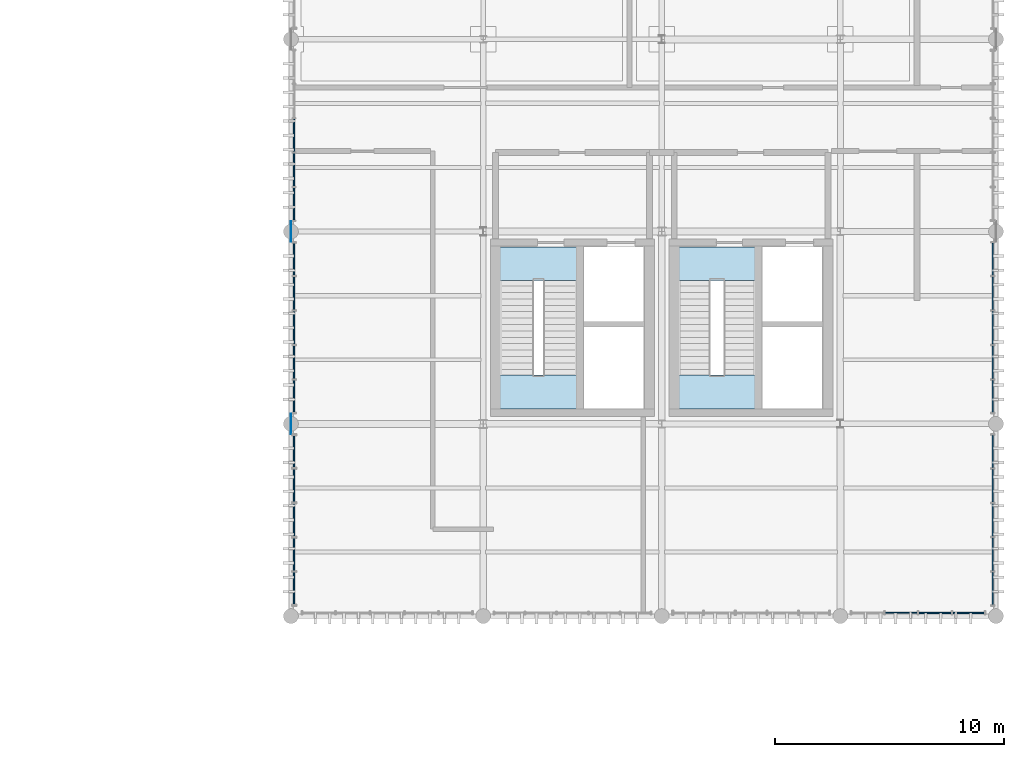
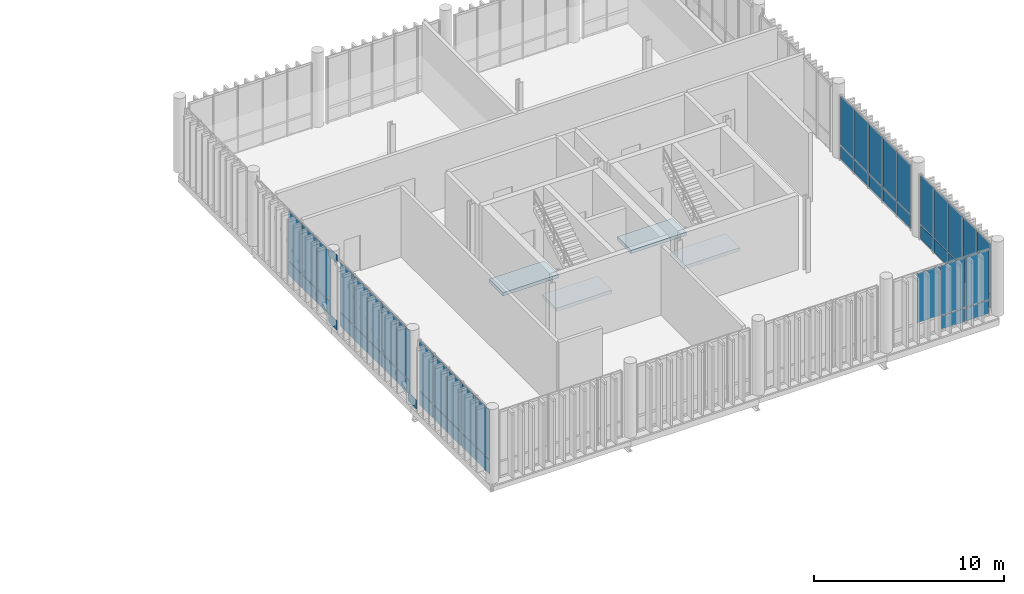
# One storey, part 68 of 86: 54 plates, 4 slabs, 8 elements without a shape of their own.
"""IFC4 building model written with IfcOpenShell, lengths in metres."""

from ifc_helpers import new_model, si_unit, direction, frame, frame_2d, origin_with_axes, origin_2d_with_axis, place, context, subcontext, project, spatial, polyline, rectangle, outline, extrude, material, layer, layer_set, type_object, element, aggregate, save


model = new_model("IFC4")

# Units and contexts
model_context = context("Model", 3, precision=1e-05, world=origin_with_axes(), true_north=direction((0.0, 1.0)))
body_context = subcontext(model_context, "Body", "Model", "MODEL_VIEW")
ifc_project = project(units=[si_unit("LENGTHUNIT", "METRE"), si_unit("AREAUNIT", "SQUARE_METRE"), si_unit("VOLUMEUNIT", "CUBIC_METRE"), si_unit("PLANEANGLEUNIT", "RADIAN"), si_unit("MASSUNIT", "GRAM", prefix="KILO"), si_unit("THERMODYNAMICTEMPERATUREUNIT", "KELVIN")], contexts=[model_context])

# Site, building, storey
site_placement = place(None, origin_with_axes())
site = spatial("IfcSite", under=ifc_project, at=site_placement, CompositionType="ELEMENT")
building_placement = place(site_placement, origin_with_axes())
building = spatial("IfcBuilding", under=site, at=building_placement, Name="Montbau Bow Law Courts", CompositionType="ELEMENT")
storey_placement = place(building_placement, frame((0.0, 0.0, 29.7), z_axis=(0.0, 0.0, 1.0), x_axis=(1.0, 0.0, 0.0)))
storey = spatial("IfcBuildingStorey", under=building, at=storey_placement, Name="L06", CompositionType="ELEMENT", Elevation=29.7)

# Curtain wall, plates
ifc_material_1 = material(Name="Thermally Broken Extruded Aluminium AA 6063-T6", Category="aluminium")
curtain_wall_type = type_object("IfcCurtainWallType", Name="CW-SLT-02", PredefinedType="NOTDEFINED", material=ifc_material_1)
curtain_wall_1_placement = place(None, frame((163.04, 78.14, 29.7), z_axis=(0.0, 0.0, 1.0), x_axis=(1.0, 0.0, 0.0)))
curtain_wall_1 = element("IfcCurtainWall", 1, at=curtain_wall_1_placement, inside=storey, type_object=curtain_wall_type, Name="CW-L06-352:cw_0352", PredefinedType="NOTDEFINED")
ifc_material_2 = material(Name="Triple-Glazed Low-E Argon Insulating Glass Unit", Category="glass")
ifc_layer_1 = layer(ifc_material_2, 0.044, Name="Curtain Panel", Category="glass")
ifc_layer_set_1 = layer_set([ifc_layer_1], Name="Triple-Glazed Low-E Argon Insulating Glass Unit")
plate_type_1 = type_object("IfcPlateType", Name="PL-CWP-01", PredefinedType="CURTAIN_PANEL", material=ifc_layer_set_1)
plate_1_placement = place(None, frame((164.554, 78.14, 30.682), z_axis=(0.0, -1.0, 0.0), x_axis=(1.0, 0.0, 0.0)))
plate_1 = element("IfcPlate", 2, at=plate_1_placement, type_object=plate_type_1, Name="CW-L06-352-P02-2:cw_0352_P02_2", PredefinedType="CURTAIN_PANEL", context=body_context, shape_type="SweptSolid", body=[
    extrude(rectangle(XDim=1.411, YDim=3.176, at=frame_2d((0.7055, 1.588), x_axis=(1.0, 0.0))), frame((0.0, 0.0, -0.022), z_axis=(0.0, 0.0, 1.0), x_axis=(1.0, 0.0, 0.0)), (0.0, 0.0, 1.0), 0.044),
])
plate_2_placement = place(None, frame((166.034, 78.14, 30.682), z_axis=(0.0, -1.0, 0.0), x_axis=(1.0, 0.0, 0.0)))
plate_2 = element("IfcPlate", 3, at=plate_2_placement, type_object=plate_type_1, Name="CW-L06-352-P03-2:cw_0352_P03_2", PredefinedType="CURTAIN_PANEL", context=body_context, shape_type="SweptSolid", body=[
    extrude(rectangle(XDim=1.412, YDim=3.176, at=frame_2d((0.706, 1.588), x_axis=(1.0, 0.0))), frame((0.0, 0.0, -0.022), z_axis=(0.0, 0.0, 1.0), x_axis=(1.0, 0.0, 0.0)), (0.0, 0.0, 1.0), 0.044),
])
plate_3_placement = place(None, frame((167.514, 78.14, 30.682), z_axis=(0.0, -1.0, 0.0), x_axis=(1.0, 0.0, 0.0)))
plate_3 = element("IfcPlate", 4, at=plate_3_placement, type_object=plate_type_1, Name="CW-L06-352-P04-2:cw_0352_P04_2", PredefinedType="CURTAIN_PANEL", context=body_context, shape_type="SweptSolid", body=[
    extrude(rectangle(XDim=1.38, YDim=3.176, at=frame_2d((0.69, 1.588), x_axis=(1.0, 0.0))), frame((0.0, 0.0, -0.022), z_axis=(0.0, 0.0, 1.0), x_axis=(1.0, 0.0, 0.0)), (0.0, 0.0, 1.0), 0.044),
])

curtain_wall_2_placement = place(None, frame((138.74, 78.44, 29.7), z_axis=(0.0, 0.0, 1.0), x_axis=(1.0, 0.0, 0.0)))
curtain_wall_2 = element("IfcCurtainWall", 5, at=curtain_wall_2_placement, inside=storey, type_object=curtain_wall_type, Name="CW-L06-357:cw_0357", PredefinedType="NOTDEFINED")
plate_4_placement = place(None, frame((138.74, 78.516, 30.679), z_axis=(1.0, 0.0, 0.0), x_axis=(0.0, 1.0, 0.0)))
plate_4 = element("IfcPlate", 6, at=plate_4_placement, type_object=plate_type_1, Name="CW-L06-357-P01-2:cw_0357_P01_2", PredefinedType="CURTAIN_PANEL", context=body_context, shape_type="SweptSolid", body=[
    extrude(rectangle(XDim=1.388, YDim=3.183, at=frame_2d((0.694, 1.5915), x_axis=(1.0, 0.0))), frame((0.0, 0.0, -0.022), z_axis=(0.0, 0.0, 1.0), x_axis=(1.0, 0.0, 0.0)), (0.0, 0.0, 1.0), 0.044),
])
plate_5_placement = place(None, frame((138.74, 79.984, 30.679), z_axis=(1.0, 0.0, 0.0), x_axis=(0.0, 1.0, 0.0)))
plate_5 = element("IfcPlate", 7, at=plate_5_placement, type_object=plate_type_1, Name="CW-L06-357-P02-2:cw_0357_P02_2", PredefinedType="CURTAIN_PANEL", context=body_context, shape_type="SweptSolid", body=[
    extrude(rectangle(XDim=1.425, YDim=3.183, at=frame_2d((0.7125, 1.5915), x_axis=(1.0, 0.0))), frame((0.0, 0.0, -0.022), z_axis=(0.0, 0.0, 1.0), x_axis=(1.0, 0.0, 0.0)), (0.0, 0.0, 1.0), 0.044),
])
plate_6_placement = place(None, frame((138.74, 81.487, 30.679), z_axis=(1.0, 0.0, 0.0), x_axis=(0.0, 1.0, 0.0)))
plate_6 = element("IfcPlate", 8, at=plate_6_placement, type_object=plate_type_1, Name="CW-L06-357-P03-2:cw_0357_P03_2", PredefinedType="CURTAIN_PANEL", context=body_context, shape_type="SweptSolid", body=[
    extrude(rectangle(XDim=1.426, YDim=3.183, at=frame_2d((0.713, 1.5915), x_axis=(1.0, 0.0))), frame((0.0, 0.0, -0.022), z_axis=(0.0, 0.0, 1.0), x_axis=(1.0, 0.0, 0.0)), (0.0, 0.0, 1.0), 0.044),
])
plate_7_placement = place(None, frame((138.74, 82.991, 30.679), z_axis=(1.0, 0.0, 0.0), x_axis=(0.0, 1.0, 0.0)))
plate_7 = element("IfcPlate", 9, at=plate_7_placement, type_object=plate_type_1, Name="CW-L06-357-P04-2:cw_0357_P04_2", PredefinedType="CURTAIN_PANEL", context=body_context, shape_type="SweptSolid", body=[
    extrude(rectangle(XDim=1.426, YDim=3.183, at=frame_2d((0.713, 1.5915), x_axis=(1.0, 0.0))), frame((0.0, 0.0, -0.022), z_axis=(0.0, 0.0, 1.0), x_axis=(1.0, 0.0, 0.0)), (0.0, 0.0, 1.0), 0.044),
])
plate_8_placement = place(None, frame((138.74, 84.495, 30.679), z_axis=(1.0, 0.0, 0.0), x_axis=(0.0, 1.0, 0.0)))
plate_8 = element("IfcPlate", 10, at=plate_8_placement, type_object=plate_type_1, Name="CW-L06-357-P05-2:cw_0357_P05_2", PredefinedType="CURTAIN_PANEL", context=body_context, shape_type="SweptSolid", body=[
    extrude(rectangle(XDim=1.388, YDim=3.183, at=frame_2d((0.694, 1.5915), x_axis=(1.0, 0.0))), frame((0.0, 0.0, -0.022), z_axis=(0.0, 0.0, 1.0), x_axis=(1.0, 0.0, 0.0)), (0.0, 0.0, 1.0), 0.044),
])

curtain_wall_3_placement = place(None, frame((138.74, 86.84, 29.7), z_axis=(0.0, 0.0, 1.0), x_axis=(1.0, 0.0, 0.0)))
curtain_wall_3 = element("IfcCurtainWall", 11, at=curtain_wall_3_placement, inside=storey, type_object=curtain_wall_type, Name="CW-L06-358:cw_0358", PredefinedType="NOTDEFINED")
plate_9_placement = place(None, frame((138.74, 86.908, 30.682), z_axis=(1.0, 0.0, 0.0), x_axis=(0.0, 1.0, 0.0)))
plate_9 = element("IfcPlate", 12, at=plate_9_placement, type_object=plate_type_1, Name="CW-L06-358-P01-2:cw_0358_P01_2", PredefinedType="CURTAIN_PANEL", context=body_context, shape_type="SweptSolid", body=[
    extrude(rectangle(XDim=1.402, YDim=3.176, at=frame_2d((0.701, 1.588), x_axis=(1.0, 0.0))), frame((0.0, 0.0, -0.022), z_axis=(0.0, 0.0, 1.0), x_axis=(1.0, 0.0, 0.0)), (0.0, 0.0, 1.0), 0.044),
])
plate_10_placement = place(None, frame((138.74, 88.378, 30.682), z_axis=(1.0, 0.0, 0.0), x_axis=(0.0, 1.0, 0.0)))
plate_10 = element("IfcPlate", 13, at=plate_10_placement, type_object=plate_type_1, Name="CW-L06-358-P02-2:cw_0358_P02_2", PredefinedType="CURTAIN_PANEL", context=body_context, shape_type="SweptSolid", body=[
    extrude(rectangle(XDim=1.436, YDim=3.176, at=frame_2d((0.718, 1.588), x_axis=(1.0, 0.0))), frame((0.0, 0.0, -0.022), z_axis=(0.0, 0.0, 1.0), x_axis=(1.0, 0.0, 0.0)), (0.0, 0.0, 1.0), 0.044),
])
plate_11_placement = place(None, frame((138.74, 89.882, 30.682), z_axis=(1.0, 0.0, 0.0), x_axis=(0.0, 1.0, 0.0)))
plate_11 = element("IfcPlate", 14, at=plate_11_placement, type_object=plate_type_1, Name="CW-L06-358-P03-2:cw_0358_P03_2", PredefinedType="CURTAIN_PANEL", context=body_context, shape_type="SweptSolid", body=[
    extrude(rectangle(XDim=1.436, YDim=3.176, at=frame_2d((0.718, 1.588), x_axis=(1.0, 0.0))), frame((0.0, 0.0, -0.022), z_axis=(0.0, 0.0, 1.0), x_axis=(1.0, 0.0, 0.0)), (0.0, 0.0, 1.0), 0.044),
])
plate_12_placement = place(None, frame((138.74, 91.386, 30.682), z_axis=(1.0, 0.0, 0.0), x_axis=(0.0, 1.0, 0.0)))
plate_12 = element("IfcPlate", 15, at=plate_12_placement, type_object=plate_type_1, Name="CW-L06-358-P04-2:cw_0358_P04_2", PredefinedType="CURTAIN_PANEL", context=body_context, shape_type="SweptSolid", body=[
    extrude(rectangle(XDim=1.436, YDim=3.176, at=frame_2d((0.718, 1.588), x_axis=(1.0, 0.0))), frame((0.0, 0.0, -0.022), z_axis=(0.0, 0.0, 1.0), x_axis=(1.0, 0.0, 0.0)), (0.0, 0.0, 1.0), 0.044),
])
plate_13_placement = place(None, frame((138.74, 92.89, 30.682), z_axis=(1.0, 0.0, 0.0), x_axis=(0.0, 1.0, 0.0)))
plate_13 = element("IfcPlate", 16, at=plate_13_placement, type_object=plate_type_1, Name="CW-L06-358-P05-2:cw_0358_P05_2", PredefinedType="CURTAIN_PANEL", context=body_context, shape_type="SweptSolid", body=[
    extrude(rectangle(XDim=1.403, YDim=3.176, at=frame_2d((0.7015, 1.588), x_axis=(1.0, 0.0))), frame((0.0, 0.0, -0.022), z_axis=(0.0, 0.0, 1.0), x_axis=(1.0, 0.0, 0.0)), (0.0, 0.0, 1.0), 0.044),
])

curtain_wall_4_placement = place(None, frame((138.74, 95.24, 29.7), z_axis=(0.0, 0.0, 1.0), x_axis=(1.0, 0.0, 0.0)))
curtain_wall_4 = element("IfcCurtainWall", 17, at=curtain_wall_4_placement, inside=storey, type_object=curtain_wall_type, Name="CW-L06-359:cw_0359", PredefinedType="NOTDEFINED")
plate_14_placement = place(None, frame((138.74, 95.302, 30.679), z_axis=(1.0, 0.0, 0.0), x_axis=(0.0, 1.0, 0.0)))
plate_14 = element("IfcPlate", 18, at=plate_14_placement, type_object=plate_type_1, Name="CW-L06-359-P01-2:cw_0359_P01_2", PredefinedType="CURTAIN_PANEL", context=body_context, shape_type="SweptSolid", body=[
    extrude(rectangle(XDim=1.41, YDim=3.183, at=frame_2d((0.705, 1.5915), x_axis=(1.0, 0.0))), frame((0.0, 0.0, -0.022), z_axis=(0.0, 0.0, 1.0), x_axis=(1.0, 0.0, 0.0)), (0.0, 0.0, 1.0), 0.044),
])
plate_15_placement = place(None, frame((138.74, 96.776, 30.679), z_axis=(1.0, 0.0, 0.0), x_axis=(0.0, 1.0, 0.0)))
plate_15 = element("IfcPlate", 19, at=plate_15_placement, type_object=plate_type_1, Name="CW-L06-359-P02-2:cw_0359_P02_2", PredefinedType="CURTAIN_PANEL", context=body_context, shape_type="SweptSolid", body=[
    extrude(rectangle(XDim=1.44, YDim=3.183, at=frame_2d((0.72, 1.5915), x_axis=(1.0, 0.0))), frame((0.0, 0.0, -0.022), z_axis=(0.0, 0.0, 1.0), x_axis=(1.0, 0.0, 0.0)), (0.0, 0.0, 1.0), 0.044),
])
plate_16_placement = place(None, frame((138.74, 98.28, 30.679), z_axis=(1.0, 0.0, 0.0), x_axis=(0.0, 1.0, 0.0)))
plate_16 = element("IfcPlate", 20, at=plate_16_placement, type_object=plate_type_1, Name="CW-L06-359-P03-2:cw_0359_P03_2", PredefinedType="CURTAIN_PANEL", context=body_context, shape_type="SweptSolid", body=[
    extrude(rectangle(XDim=1.44, YDim=3.183, at=frame_2d((0.72, 1.5915), x_axis=(1.0, 0.0))), frame((0.0, 0.0, -0.022), z_axis=(0.0, 0.0, 1.0), x_axis=(1.0, 0.0, 0.0)), (0.0, 0.0, 1.0), 0.044),
])

curtain_wall_5_placement = place(None, frame((169.26, 78.44, 29.7), z_axis=(0.0, 0.0, 1.0), x_axis=(1.0, 0.0, 0.0)))
curtain_wall_5 = element("IfcCurtainWall", 21, at=curtain_wall_5_placement, inside=storey, type_object=curtain_wall_type, Name="CW-L06-361:cw_0361", PredefinedType="NOTDEFINED")
plate_17_placement = place(None, frame((169.26, 78.508, 30.679), z_axis=(1.0, 0.0, 0.0), x_axis=(0.0, 1.0, 0.0)))
plate_17 = element("IfcPlate", 22, at=plate_17_placement, type_object=plate_type_1, Name="CW-L06-361-P01-2:cw_0361_P01_2", PredefinedType="CURTAIN_PANEL", context=body_context, shape_type="SweptSolid", body=[
    extrude(rectangle(XDim=1.402, YDim=3.183, at=frame_2d((0.701, 1.5915), x_axis=(1.0, 0.0))), frame((0.0, 0.0, -0.022), z_axis=(0.0, 0.0, 1.0), x_axis=(1.0, 0.0, 0.0)), (0.0, 0.0, 1.0), 0.044),
])
plate_18_placement = place(None, frame((169.26, 79.978, 30.679), z_axis=(1.0, 0.0, 0.0), x_axis=(0.0, 1.0, 0.0)))
plate_18 = element("IfcPlate", 23, at=plate_18_placement, type_object=plate_type_1, Name="CW-L06-361-P02-2:cw_0361_P02_2", PredefinedType="CURTAIN_PANEL", context=body_context, shape_type="SweptSolid", body=[
    extrude(rectangle(XDim=1.436, YDim=3.183, at=frame_2d((0.718, 1.5915), x_axis=(1.0, 0.0))), frame((0.0, 0.0, -0.022), z_axis=(0.0, 0.0, 1.0), x_axis=(1.0, 0.0, 0.0)), (0.0, 0.0, 1.0), 0.044),
])
plate_19_placement = place(None, frame((169.26, 81.482, 30.679), z_axis=(1.0, 0.0, 0.0), x_axis=(0.0, 1.0, 0.0)))
plate_19 = element("IfcPlate", 24, at=plate_19_placement, type_object=plate_type_1, Name="CW-L06-361-P03-2:cw_0361_P03_2", PredefinedType="CURTAIN_PANEL", context=body_context, shape_type="SweptSolid", body=[
    extrude(rectangle(XDim=1.436, YDim=3.183, at=frame_2d((0.718, 1.5915), x_axis=(1.0, 0.0))), frame((0.0, 0.0, -0.022), z_axis=(0.0, 0.0, 1.0), x_axis=(1.0, 0.0, 0.0)), (0.0, 0.0, 1.0), 0.044),
])
plate_20_placement = place(None, frame((169.26, 82.986, 30.679), z_axis=(1.0, 0.0, 0.0), x_axis=(0.0, 1.0, 0.0)))
plate_20 = element("IfcPlate", 25, at=plate_20_placement, type_object=plate_type_1, Name="CW-L06-361-P04-2:cw_0361_P04_2", PredefinedType="CURTAIN_PANEL", context=body_context, shape_type="SweptSolid", body=[
    extrude(rectangle(XDim=1.436, YDim=3.183, at=frame_2d((0.718, 1.5915), x_axis=(1.0, 0.0))), frame((0.0, 0.0, -0.022), z_axis=(0.0, 0.0, 1.0), x_axis=(1.0, 0.0, 0.0)), (0.0, 0.0, 1.0), 0.044),
])
plate_21_placement = place(None, frame((169.26, 84.49, 30.679), z_axis=(1.0, 0.0, 0.0), x_axis=(0.0, 1.0, 0.0)))
plate_21 = element("IfcPlate", 26, at=plate_21_placement, type_object=plate_type_1, Name="CW-L06-361-P05-2:cw_0361_P05_2", PredefinedType="CURTAIN_PANEL", context=body_context, shape_type="SweptSolid", body=[
    extrude(rectangle(XDim=1.403, YDim=3.183, at=frame_2d((0.7015, 1.5915), x_axis=(1.0, 0.0))), frame((0.0, 0.0, -0.022), z_axis=(0.0, 0.0, 1.0), x_axis=(1.0, 0.0, 0.0)), (0.0, 0.0, 1.0), 0.044),
])

curtain_wall_6_placement = place(None, frame((169.26, 86.84, 29.7), z_axis=(0.0, 0.0, 1.0), x_axis=(1.0, 0.0, 0.0)))
curtain_wall_6 = element("IfcCurtainWall", 27, at=curtain_wall_6_placement, inside=storey, type_object=curtain_wall_type, Name="CW-L06-362:cw_0362", PredefinedType="NOTDEFINED")
plate_22_placement = place(None, frame((169.26, 86.902, 30.682), z_axis=(1.0, 0.0, 0.0), x_axis=(0.0, 1.0, 0.0)))
plate_22 = element("IfcPlate", 28, at=plate_22_placement, type_object=plate_type_1, Name="CW-L06-362-P01-2:cw_0362_P01_2", PredefinedType="CURTAIN_PANEL", context=body_context, shape_type="SweptSolid", body=[
    extrude(rectangle(XDim=1.41, YDim=3.176, at=frame_2d((0.705, 1.588), x_axis=(1.0, 0.0))), frame((0.0, 0.0, -0.022), z_axis=(0.0, 0.0, 1.0), x_axis=(1.0, 0.0, 0.0)), (0.0, 0.0, 1.0), 0.044),
])
plate_23_placement = place(None, frame((169.26, 88.376, 30.682), z_axis=(1.0, 0.0, 0.0), x_axis=(0.0, 1.0, 0.0)))
plate_23 = element("IfcPlate", 29, at=plate_23_placement, type_object=plate_type_1, Name="CW-L06-362-P02-2:cw_0362_P02_2", PredefinedType="CURTAIN_PANEL", context=body_context, shape_type="SweptSolid", body=[
    extrude(rectangle(XDim=1.44, YDim=3.176, at=frame_2d((0.72, 1.588), x_axis=(1.0, 0.0))), frame((0.0, 0.0, -0.022), z_axis=(0.0, 0.0, 1.0), x_axis=(1.0, 0.0, 0.0)), (0.0, 0.0, 1.0), 0.044),
])
plate_24_placement = place(None, frame((169.26, 89.88, 30.682), z_axis=(1.0, 0.0, 0.0), x_axis=(0.0, 1.0, 0.0)))
plate_24 = element("IfcPlate", 30, at=plate_24_placement, type_object=plate_type_1, Name="CW-L06-362-P03-2:cw_0362_P03_2", PredefinedType="CURTAIN_PANEL", context=body_context, shape_type="SweptSolid", body=[
    extrude(rectangle(XDim=1.44, YDim=3.176, at=frame_2d((0.72, 1.588), x_axis=(1.0, 0.0))), frame((0.0, 0.0, -0.022), z_axis=(0.0, 0.0, 1.0), x_axis=(1.0, 0.0, 0.0)), (0.0, 0.0, 1.0), 0.044),
])
plate_25_placement = place(None, frame((169.26, 91.384, 30.682), z_axis=(1.0, 0.0, 0.0), x_axis=(0.0, 1.0, 0.0)))
plate_25 = element("IfcPlate", 31, at=plate_25_placement, type_object=plate_type_1, Name="CW-L06-362-P04-2:cw_0362_P04_2", PredefinedType="CURTAIN_PANEL", context=body_context, shape_type="SweptSolid", body=[
    extrude(rectangle(XDim=1.44, YDim=3.176, at=frame_2d((0.72, 1.588), x_axis=(1.0, 0.0))), frame((0.0, 0.0, -0.022), z_axis=(0.0, 0.0, 1.0), x_axis=(1.0, 0.0, 0.0)), (0.0, 0.0, 1.0), 0.044),
])
plate_26_placement = place(None, frame((169.26, 92.888, 30.682), z_axis=(1.0, 0.0, 0.0), x_axis=(0.0, 1.0, 0.0)))
plate_26 = element("IfcPlate", 32, at=plate_26_placement, type_object=plate_type_1, Name="CW-L06-362-P05-2:cw_0362_P05_2", PredefinedType="CURTAIN_PANEL", context=body_context, shape_type="SweptSolid", body=[
    extrude(rectangle(XDim=1.41, YDim=3.176, at=frame_2d((0.705, 1.588), x_axis=(1.0, 0.0))), frame((0.0, 0.0, -0.022), z_axis=(0.0, 0.0, 1.0), x_axis=(1.0, 0.0, 0.0)), (0.0, 0.0, 1.0), 0.044),
])

# Plate
ifc_material_3 = material(Name="Insulated Ceramic-Frit Spandrel Glazing Unit", Category="glass")
ifc_layer_2 = layer(ifc_material_3, 0.056, Name="Curtain Panel", Category="glass")
ifc_layer_set_2 = layer_set([ifc_layer_2], Name="Insulated Ceramic-Frit Spandrel Glazing Unit")
plate_type_2 = type_object("IfcPlateType", Name="PL-CWP-02", PredefinedType="CURTAIN_PANEL", material=ifc_layer_set_2)
plate_27_placement = place(None, frame((166.034, 78.14, 29.762), z_axis=(0.0, -1.0, 0.0), x_axis=(1.0, 0.0, 0.0)))
plate_27 = element("IfcPlate", 33, at=plate_27_placement, type_object=plate_type_2, Name="CW-L06-352-P03-1:cw_0352_P03_1", PredefinedType="CURTAIN_PANEL", context=body_context, shape_type="SweptSolid", body=[
    extrude(rectangle(XDim=1.412, YDim=0.856, at=frame_2d((0.706, 0.428), x_axis=(1.0, 0.0))), frame((0.0, 0.0, -0.028), z_axis=(0.0, 0.0, 1.0), x_axis=(1.0, 0.0, 0.0)), (0.0, 0.0, 1.0), 0.056),
])

plate_28_placement = place(None, frame((167.514, 78.14, 29.762), z_axis=(0.0, -1.0, 0.0), x_axis=(1.0, 0.0, 0.0)))
plate_28 = element("IfcPlate", 34, at=plate_28_placement, type_object=plate_type_2, Name="CW-L06-352-P04-1:cw_0352_P04_1", PredefinedType="CURTAIN_PANEL", context=body_context, shape_type="SweptSolid", body=[
    extrude(rectangle(XDim=1.38, YDim=0.856, at=frame_2d((0.69, 0.428), x_axis=(1.0, 0.0))), frame((0.0, 0.0, -0.028), z_axis=(0.0, 0.0, 1.0), x_axis=(1.0, 0.0, 0.0)), (0.0, 0.0, 1.0), 0.056),
])

aggregate(curtain_wall_1, [plate_1, plate_27, plate_2, plate_28, plate_3])

plate_29_placement = place(None, frame((138.74, 78.516, 29.756), z_axis=(1.0, 0.0, 0.0), x_axis=(0.0, 1.0, 0.0)))
plate_29 = element("IfcPlate", 35, at=plate_29_placement, type_object=plate_type_2, Name="CW-L06-357-P01-1:cw_0357_P01_1", PredefinedType="CURTAIN_PANEL", context=body_context, shape_type="SweptSolid", body=[
    extrude(rectangle(XDim=1.388, YDim=0.864, at=frame_2d((0.694, 0.432), x_axis=(1.0, 0.0))), frame((0.0, 0.0, -0.028), z_axis=(0.0, 0.0, 1.0), x_axis=(1.0, 0.0, 0.0)), (0.0, 0.0, 1.0), 0.056),
])

plate_30_placement = place(None, frame((138.74, 79.984, 29.756), z_axis=(1.0, 0.0, 0.0), x_axis=(0.0, 1.0, 0.0)))
plate_30 = element("IfcPlate", 36, at=plate_30_placement, type_object=plate_type_2, Name="CW-L06-357-P02-1:cw_0357_P02_1", PredefinedType="CURTAIN_PANEL", context=body_context, shape_type="SweptSolid", body=[
    extrude(rectangle(XDim=1.425, YDim=0.864, at=frame_2d((0.7125, 0.432), x_axis=(1.0, 0.0))), frame((0.0, 0.0, -0.028), z_axis=(0.0, 0.0, 1.0), x_axis=(1.0, 0.0, 0.0)), (0.0, 0.0, 1.0), 0.056),
])

plate_31_placement = place(None, frame((138.74, 81.487, 29.756), z_axis=(1.0, 0.0, 0.0), x_axis=(0.0, 1.0, 0.0)))
plate_31 = element("IfcPlate", 37, at=plate_31_placement, type_object=plate_type_2, Name="CW-L06-357-P03-1:cw_0357_P03_1", PredefinedType="CURTAIN_PANEL", context=body_context, shape_type="SweptSolid", body=[
    extrude(rectangle(XDim=1.426, YDim=0.864, at=frame_2d((0.713, 0.432), x_axis=(1.0, 0.0))), frame((0.0, 0.0, -0.028), z_axis=(0.0, 0.0, 1.0), x_axis=(1.0, 0.0, 0.0)), (0.0, 0.0, 1.0), 0.056),
])

plate_32_placement = place(None, frame((138.74, 82.991, 29.756), z_axis=(1.0, 0.0, 0.0), x_axis=(0.0, 1.0, 0.0)))
plate_32 = element("IfcPlate", 38, at=plate_32_placement, type_object=plate_type_2, Name="CW-L06-357-P04-1:cw_0357_P04_1", PredefinedType="CURTAIN_PANEL", context=body_context, shape_type="SweptSolid", body=[
    extrude(rectangle(XDim=1.426, YDim=0.864, at=frame_2d((0.713, 0.432), x_axis=(1.0, 0.0))), frame((0.0, 0.0, -0.028), z_axis=(0.0, 0.0, 1.0), x_axis=(1.0, 0.0, 0.0)), (0.0, 0.0, 1.0), 0.056),
])

plate_33_placement = place(None, frame((138.74, 84.495, 29.756), z_axis=(1.0, 0.0, 0.0), x_axis=(0.0, 1.0, 0.0)))
plate_33 = element("IfcPlate", 39, at=plate_33_placement, type_object=plate_type_2, Name="CW-L06-357-P05-1:cw_0357_P05_1", PredefinedType="CURTAIN_PANEL", context=body_context, shape_type="SweptSolid", body=[
    extrude(rectangle(XDim=1.388, YDim=0.864, at=frame_2d((0.694, 0.432), x_axis=(1.0, 0.0))), frame((0.0, 0.0, -0.028), z_axis=(0.0, 0.0, 1.0), x_axis=(1.0, 0.0, 0.0)), (0.0, 0.0, 1.0), 0.056),
])

aggregate(curtain_wall_2, [plate_29, plate_4, plate_30, plate_5, plate_31, plate_6, plate_32, plate_7, plate_33, plate_8])

plate_34_placement = place(None, frame((138.74, 86.908, 29.762), z_axis=(1.0, 0.0, 0.0), x_axis=(0.0, 1.0, 0.0)))
plate_34 = element("IfcPlate", 40, at=plate_34_placement, type_object=plate_type_2, Name="CW-L06-358-P01-1:cw_0358_P01_1", PredefinedType="CURTAIN_PANEL", context=body_context, shape_type="SweptSolid", body=[
    extrude(rectangle(XDim=1.402, YDim=0.856, at=frame_2d((0.701, 0.428), x_axis=(1.0, 0.0))), frame((0.0, 0.0, -0.028), z_axis=(0.0, 0.0, 1.0), x_axis=(1.0, 0.0, 0.0)), (0.0, 0.0, 1.0), 0.056),
])

plate_35_placement = place(None, frame((138.74, 88.378, 29.762), z_axis=(1.0, 0.0, 0.0), x_axis=(0.0, 1.0, 0.0)))
plate_35 = element("IfcPlate", 41, at=plate_35_placement, type_object=plate_type_2, Name="CW-L06-358-P02-1:cw_0358_P02_1", PredefinedType="CURTAIN_PANEL", context=body_context, shape_type="SweptSolid", body=[
    extrude(rectangle(XDim=1.436, YDim=0.856, at=frame_2d((0.718, 0.428), x_axis=(1.0, 0.0))), frame((0.0, 0.0, -0.028), z_axis=(0.0, 0.0, 1.0), x_axis=(1.0, 0.0, 0.0)), (0.0, 0.0, 1.0), 0.056),
])

plate_36_placement = place(None, frame((138.74, 89.882, 29.762), z_axis=(1.0, 0.0, 0.0), x_axis=(0.0, 1.0, 0.0)))
plate_36 = element("IfcPlate", 42, at=plate_36_placement, type_object=plate_type_2, Name="CW-L06-358-P03-1:cw_0358_P03_1", PredefinedType="CURTAIN_PANEL", context=body_context, shape_type="SweptSolid", body=[
    extrude(rectangle(XDim=1.436, YDim=0.856, at=frame_2d((0.718, 0.428), x_axis=(1.0, 0.0))), frame((0.0, 0.0, -0.028), z_axis=(0.0, 0.0, 1.0), x_axis=(1.0, 0.0, 0.0)), (0.0, 0.0, 1.0), 0.056),
])

plate_37_placement = place(None, frame((138.74, 91.386, 29.762), z_axis=(1.0, 0.0, 0.0), x_axis=(0.0, 1.0, 0.0)))
plate_37 = element("IfcPlate", 43, at=plate_37_placement, type_object=plate_type_2, Name="CW-L06-358-P04-1:cw_0358_P04_1", PredefinedType="CURTAIN_PANEL", context=body_context, shape_type="SweptSolid", body=[
    extrude(rectangle(XDim=1.436, YDim=0.856, at=frame_2d((0.718, 0.428), x_axis=(1.0, 0.0))), frame((0.0, 0.0, -0.028), z_axis=(0.0, 0.0, 1.0), x_axis=(1.0, 0.0, 0.0)), (0.0, 0.0, 1.0), 0.056),
])

plate_38_placement = place(None, frame((138.74, 92.89, 29.762), z_axis=(1.0, 0.0, 0.0), x_axis=(0.0, 1.0, 0.0)))
plate_38 = element("IfcPlate", 44, at=plate_38_placement, type_object=plate_type_2, Name="CW-L06-358-P05-1:cw_0358_P05_1", PredefinedType="CURTAIN_PANEL", context=body_context, shape_type="SweptSolid", body=[
    extrude(rectangle(XDim=1.403, YDim=0.856, at=frame_2d((0.7015, 0.428), x_axis=(1.0, 0.0))), frame((0.0, 0.0, -0.028), z_axis=(0.0, 0.0, 1.0), x_axis=(1.0, 0.0, 0.0)), (0.0, 0.0, 1.0), 0.056),
])

aggregate(curtain_wall_3, [plate_34, plate_9, plate_35, plate_10, plate_36, plate_11, plate_37, plate_12, plate_38, plate_13])

plate_39_placement = place(None, frame((138.74, 95.302, 29.756), z_axis=(1.0, 0.0, 0.0), x_axis=(0.0, 1.0, 0.0)))
plate_39 = element("IfcPlate", 45, at=plate_39_placement, type_object=plate_type_2, Name="CW-L06-359-P01-1:cw_0359_P01_1", PredefinedType="CURTAIN_PANEL", context=body_context, shape_type="SweptSolid", body=[
    extrude(rectangle(XDim=1.41, YDim=0.864, at=frame_2d((0.705, 0.432), x_axis=(1.0, 0.0))), frame((0.0, 0.0, -0.028), z_axis=(0.0, 0.0, 1.0), x_axis=(1.0, 0.0, 0.0)), (0.0, 0.0, 1.0), 0.056),
])

plate_40_placement = place(None, frame((138.74, 96.776, 29.756), z_axis=(1.0, 0.0, 0.0), x_axis=(0.0, 1.0, 0.0)))
plate_40 = element("IfcPlate", 46, at=plate_40_placement, type_object=plate_type_2, Name="CW-L06-359-P02-1:cw_0359_P02_1", PredefinedType="CURTAIN_PANEL", context=body_context, shape_type="SweptSolid", body=[
    extrude(rectangle(XDim=1.44, YDim=0.864, at=frame_2d((0.72, 0.432), x_axis=(1.0, 0.0))), frame((0.0, 0.0, -0.028), z_axis=(0.0, 0.0, 1.0), x_axis=(1.0, 0.0, 0.0)), (0.0, 0.0, 1.0), 0.056),
])

plate_41_placement = place(None, frame((138.74, 98.28, 29.756), z_axis=(1.0, 0.0, 0.0), x_axis=(0.0, 1.0, 0.0)))
plate_41 = element("IfcPlate", 47, at=plate_41_placement, type_object=plate_type_2, Name="CW-L06-359-P03-1:cw_0359_P03_1", PredefinedType="CURTAIN_PANEL", context=body_context, shape_type="SweptSolid", body=[
    extrude(rectangle(XDim=1.44, YDim=0.864, at=frame_2d((0.72, 0.432), x_axis=(1.0, 0.0))), frame((0.0, 0.0, -0.028), z_axis=(0.0, 0.0, 1.0), x_axis=(1.0, 0.0, 0.0)), (0.0, 0.0, 1.0), 0.056),
])

aggregate(curtain_wall_4, [plate_39, plate_14, plate_40, plate_15, plate_41, plate_16])

plate_42_placement = place(None, frame((169.26, 78.508, 29.756), z_axis=(1.0, 0.0, 0.0), x_axis=(0.0, 1.0, 0.0)))
plate_42 = element("IfcPlate", 48, at=plate_42_placement, type_object=plate_type_2, Name="CW-L06-361-P01-1:cw_0361_P01_1", PredefinedType="CURTAIN_PANEL", context=body_context, shape_type="SweptSolid", body=[
    extrude(rectangle(XDim=1.402, YDim=0.864, at=frame_2d((0.701, 0.432), x_axis=(1.0, 0.0))), frame((0.0, 0.0, -0.028), z_axis=(0.0, 0.0, 1.0), x_axis=(1.0, 0.0, 0.0)), (0.0, 0.0, 1.0), 0.056),
])

plate_43_placement = place(None, frame((169.26, 79.978, 29.756), z_axis=(1.0, 0.0, 0.0), x_axis=(0.0, 1.0, 0.0)))
plate_43 = element("IfcPlate", 49, at=plate_43_placement, type_object=plate_type_2, Name="CW-L06-361-P02-1:cw_0361_P02_1", PredefinedType="CURTAIN_PANEL", context=body_context, shape_type="SweptSolid", body=[
    extrude(rectangle(XDim=1.436, YDim=0.864, at=frame_2d((0.718, 0.432), x_axis=(1.0, 0.0))), frame((0.0, 0.0, -0.028), z_axis=(0.0, 0.0, 1.0), x_axis=(1.0, 0.0, 0.0)), (0.0, 0.0, 1.0), 0.056),
])

plate_44_placement = place(None, frame((169.26, 81.482, 29.756), z_axis=(1.0, 0.0, 0.0), x_axis=(0.0, 1.0, 0.0)))
plate_44 = element("IfcPlate", 50, at=plate_44_placement, type_object=plate_type_2, Name="CW-L06-361-P03-1:cw_0361_P03_1", PredefinedType="CURTAIN_PANEL", context=body_context, shape_type="SweptSolid", body=[
    extrude(rectangle(XDim=1.436, YDim=0.864, at=frame_2d((0.718, 0.432), x_axis=(1.0, 0.0))), frame((0.0, 0.0, -0.028), z_axis=(0.0, 0.0, 1.0), x_axis=(1.0, 0.0, 0.0)), (0.0, 0.0, 1.0), 0.056),
])

plate_45_placement = place(None, frame((169.26, 82.986, 29.756), z_axis=(1.0, 0.0, 0.0), x_axis=(0.0, 1.0, 0.0)))
plate_45 = element("IfcPlate", 51, at=plate_45_placement, type_object=plate_type_2, Name="CW-L06-361-P04-1:cw_0361_P04_1", PredefinedType="CURTAIN_PANEL", context=body_context, shape_type="SweptSolid", body=[
    extrude(rectangle(XDim=1.436, YDim=0.864, at=frame_2d((0.718, 0.432), x_axis=(1.0, 0.0))), frame((0.0, 0.0, -0.028), z_axis=(0.0, 0.0, 1.0), x_axis=(1.0, 0.0, 0.0)), (0.0, 0.0, 1.0), 0.056),
])

plate_46_placement = place(None, frame((169.26, 84.49, 29.756), z_axis=(1.0, 0.0, 0.0), x_axis=(0.0, 1.0, 0.0)))
plate_46 = element("IfcPlate", 52, at=plate_46_placement, type_object=plate_type_2, Name="CW-L06-361-P05-1:cw_0361_P05_1", PredefinedType="CURTAIN_PANEL", context=body_context, shape_type="SweptSolid", body=[
    extrude(rectangle(XDim=1.403, YDim=0.864, at=frame_2d((0.7015, 0.432), x_axis=(1.0, 0.0))), frame((0.0, 0.0, -0.028), z_axis=(0.0, 0.0, 1.0), x_axis=(1.0, 0.0, 0.0)), (0.0, 0.0, 1.0), 0.056),
])

aggregate(curtain_wall_5, [plate_42, plate_17, plate_43, plate_18, plate_44, plate_19, plate_45, plate_20, plate_46, plate_21])

plate_47_placement = place(None, frame((169.26, 86.902, 29.762), z_axis=(1.0, 0.0, 0.0), x_axis=(0.0, 1.0, 0.0)))
plate_47 = element("IfcPlate", 53, at=plate_47_placement, type_object=plate_type_2, Name="CW-L06-362-P01-1:cw_0362_P01_1", PredefinedType="CURTAIN_PANEL", context=body_context, shape_type="SweptSolid", body=[
    extrude(rectangle(XDim=1.41, YDim=0.856, at=frame_2d((0.705, 0.428), x_axis=(1.0, 0.0))), frame((0.0, 0.0, -0.028), z_axis=(0.0, 0.0, 1.0), x_axis=(1.0, 0.0, 0.0)), (0.0, 0.0, 1.0), 0.056),
])

plate_48_placement = place(None, frame((169.26, 88.376, 29.762), z_axis=(1.0, 0.0, 0.0), x_axis=(0.0, 1.0, 0.0)))
plate_48 = element("IfcPlate", 54, at=plate_48_placement, type_object=plate_type_2, Name="CW-L06-362-P02-1:cw_0362_P02_1", PredefinedType="CURTAIN_PANEL", context=body_context, shape_type="SweptSolid", body=[
    extrude(rectangle(XDim=1.44, YDim=0.856, at=frame_2d((0.72, 0.428), x_axis=(1.0, 0.0))), frame((0.0, 0.0, -0.028), z_axis=(0.0, 0.0, 1.0), x_axis=(1.0, 0.0, 0.0)), (0.0, 0.0, 1.0), 0.056),
])

plate_49_placement = place(None, frame((169.26, 89.88, 29.762), z_axis=(1.0, 0.0, 0.0), x_axis=(0.0, 1.0, 0.0)))
plate_49 = element("IfcPlate", 55, at=plate_49_placement, type_object=plate_type_2, Name="CW-L06-362-P03-1:cw_0362_P03_1", PredefinedType="CURTAIN_PANEL", context=body_context, shape_type="SweptSolid", body=[
    extrude(rectangle(XDim=1.44, YDim=0.856, at=frame_2d((0.72, 0.428), x_axis=(1.0, 0.0))), frame((0.0, 0.0, -0.028), z_axis=(0.0, 0.0, 1.0), x_axis=(1.0, 0.0, 0.0)), (0.0, 0.0, 1.0), 0.056),
])

plate_50_placement = place(None, frame((169.26, 91.384, 29.762), z_axis=(1.0, 0.0, 0.0), x_axis=(0.0, 1.0, 0.0)))
plate_50 = element("IfcPlate", 56, at=plate_50_placement, type_object=plate_type_2, Name="CW-L06-362-P04-1:cw_0362_P04_1", PredefinedType="CURTAIN_PANEL", context=body_context, shape_type="SweptSolid", body=[
    extrude(rectangle(XDim=1.44, YDim=0.856, at=frame_2d((0.72, 0.428), x_axis=(1.0, 0.0))), frame((0.0, 0.0, -0.028), z_axis=(0.0, 0.0, 1.0), x_axis=(1.0, 0.0, 0.0)), (0.0, 0.0, 1.0), 0.056),
])

plate_51_placement = place(None, frame((169.26, 92.888, 29.762), z_axis=(1.0, 0.0, 0.0), x_axis=(0.0, 1.0, 0.0)))
plate_51 = element("IfcPlate", 57, at=plate_51_placement, type_object=plate_type_2, Name="CW-L06-362-P05-1:cw_0362_P05_1", PredefinedType="CURTAIN_PANEL", context=body_context, shape_type="SweptSolid", body=[
    extrude(rectangle(XDim=1.41, YDim=0.856, at=frame_2d((0.705, 0.428), x_axis=(1.0, 0.0))), frame((0.0, 0.0, -0.028), z_axis=(0.0, 0.0, 1.0), x_axis=(1.0, 0.0, 0.0)), (0.0, 0.0, 1.0), 0.056),
])

aggregate(curtain_wall_6, [plate_47, plate_22, plate_48, plate_23, plate_49, plate_24, plate_50, plate_25, plate_51, plate_26])

# Plates
ifc_material_4 = material(Name="Steel CSA G40.21 Grade 350WT (350 MPa)", Category="steel")
ifc_layer_3 = layer(ifc_material_4, 0.032, Name="Gusset Plate", Category="steel")
ifc_layer_set_3 = layer_set([ifc_layer_3], Name="Steel CSA G40.21 Grade 350WT (350 MPa)")
plate_type_3 = type_object("IfcPlateType", Name="PL-GUS-01", PredefinedType="USERDEFINED", material=ifc_layer_set_3)
for number, where, z_axis, x_axis, name in (
    (58, (138.6, 86.4, 29.47), (0.0, 0.0, 1.0), (0.0, 1.0, 0.0), "BGP-L06-146:plt_0177"),
    (59, (138.6, 94.8, 33.727), (0.0, 0.0, 1.0), (0.0, 1.0, 0.0), "BGP-L06-147:plt_0178"),
    (60, (138.6, 94.8, 29.47), (0.0, 0.0, 1.0), (0.0, 1.0, 0.0), "BGP-L06-160:plt_0191"),
):
    element("IfcPlate", number, at=place(None, frame(where, z_axis=z_axis, x_axis=x_axis)), inside=storey, type_object=plate_type_3, Name=name, ObjectType="GUSSET_PLATE", PredefinedType="USERDEFINED", context=body_context, shape_type="SweptSolid", body=[
        extrude(rectangle(XDim=0.9, YDim=0.032, at=origin_2d_with_axis()), origin_with_axes(), (0.0, 0.0, 1.0), 0.56),
    ])

# Stair, slabs
ifc_material_5 = material(Name="Concrete CSA A23.1 f'c 40 MPa", Category="concrete")
stair_type_1 = type_object("IfcStairType", Name="ST-PUB-1800", PredefinedType="HALF_TURN_STAIR", material=ifc_material_5)
stair_1_placement = place(None, frame((148.505, 92.7, 29.7), z_axis=(0.0, 0.0, 1.0), x_axis=(1.0, 0.0, 0.0)))
stair_1 = element("IfcStair", 61, at=stair_1_placement, inside=storey, type_object=stair_type_1, Name="ST-P2-L06:str_0040", PredefinedType="HALF_TURN_STAIR")
ifc_layer_4 = layer(ifc_material_5, 0.21, Name="Landing", Category="concrete")
ifc_layer_set_4 = layer_set([ifc_layer_4], Name="Concrete CSA A23.1 f'c 40 MPa")
slab_type = type_object("IfcSlabType", Name="SL-LND-02", PredefinedType="LANDING", material=ifc_layer_set_4)
slab_1_placement = place(None, frame((0.0, 0.0, 29.49), z_axis=(0.0, 0.0, 1.0), x_axis=(1.0, 0.0, 0.0)))
slab_1 = element("IfcSlab", 62, at=slab_1_placement, type_object=slab_type, Name="ST-P2-L06-LB:str_0040_LB", PredefinedType="LANDING", context=body_context, shape_type="SweptSolid", body=[
    extrude(outline(polyline([(147.72, 92.66), (151.1, 92.66), (151.1, 94.13), (147.72, 94.13), (147.72, 92.66)])), origin_with_axes(), (0.0, 0.0, 1.0), 0.21),
])
slab_2_placement = place(None, frame((0.0, 0.0, 31.89), z_axis=(0.0, 0.0, 1.0), x_axis=(1.0, 0.0, 0.0)))
slab_2 = element("IfcSlab", 63, at=slab_2_placement, type_object=slab_type, Name="ST-P2-L06-LM:str_0040_LM", PredefinedType="LANDING", context=body_context, shape_type="SweptSolid", body=[
    extrude(outline(polyline([(147.72, 87.04), (151.1, 87.04), (151.1, 88.54), (147.72, 88.54), (147.72, 87.04)])), origin_with_axes(), (0.0, 0.0, 1.0), 0.21),
])
aggregate(stair_1, [slab_1, slab_2])

stair_type_2 = type_object("IfcStairType", Name="ST-JUD-1500", PredefinedType="HALF_TURN_STAIR", material=ifc_material_5)
stair_2_placement = place(None, frame((156.265, 92.7, 29.7), z_axis=(0.0, 0.0, 1.0), x_axis=(1.0, 0.0, 0.0)))
stair_2 = element("IfcStair", 64, at=stair_2_placement, inside=storey, type_object=stair_type_2, Name="ST-J2-L06:str_0051", PredefinedType="HALF_TURN_STAIR")
slab_3_placement = place(None, frame((0.0, 0.0, 29.49), z_axis=(0.0, 0.0, 1.0), x_axis=(1.0, 0.0, 0.0)))
slab_3 = element("IfcSlab", 65, at=slab_3_placement, type_object=slab_type, Name="ST-J2-L06-LB:str_0051_LB", PredefinedType="LANDING", context=body_context, shape_type="SweptSolid", body=[
    extrude(outline(polyline([(155.52, 92.66), (158.9, 92.66), (158.9, 94.13), (155.52, 94.13), (155.52, 92.66)])), origin_with_axes(), (0.0, 0.0, 1.0), 0.21),
])
slab_4_placement = place(None, frame((0.0, 0.0, 31.89), z_axis=(0.0, 0.0, 1.0), x_axis=(1.0, 0.0, 0.0)))
slab_4 = element("IfcSlab", 66, at=slab_4_placement, type_object=slab_type, Name="ST-J2-L06-LM:str_0051_LM", PredefinedType="LANDING", context=body_context, shape_type="SweptSolid", body=[
    extrude(outline(polyline([(155.52, 87.04), (158.9, 87.04), (158.9, 88.54), (155.52, 88.54), (155.52, 87.04)])), origin_with_axes(), (0.0, 0.0, 1.0), 0.21),
])
aggregate(stair_2, [slab_3, slab_4])

save(model, "model.ifc")
